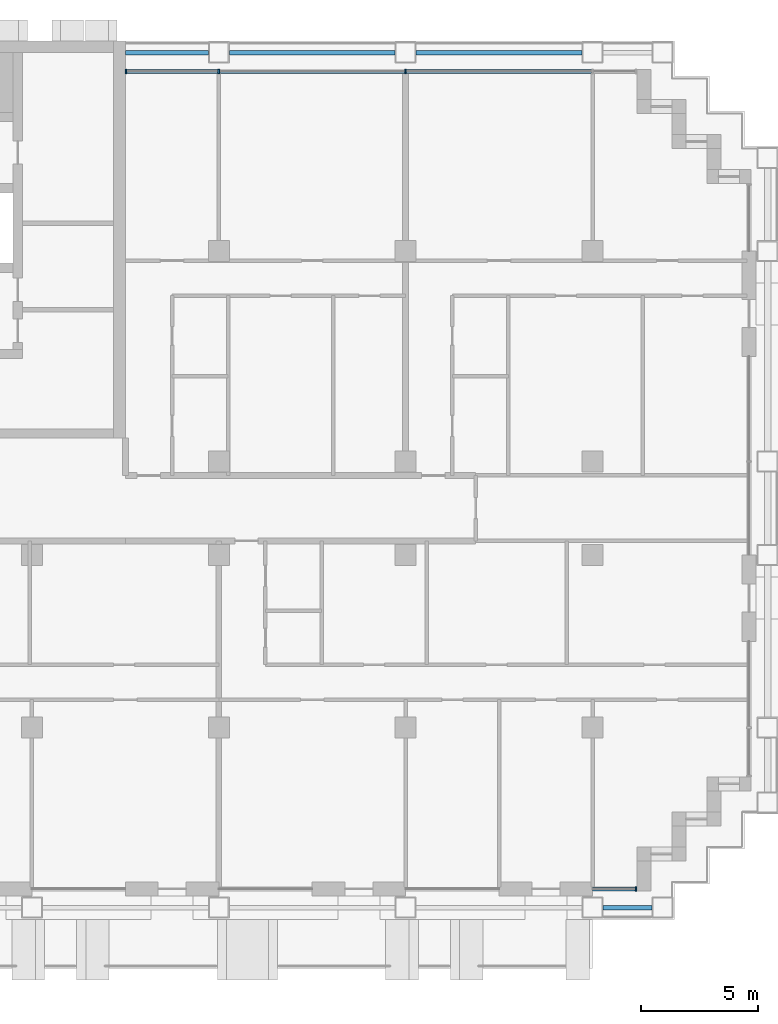
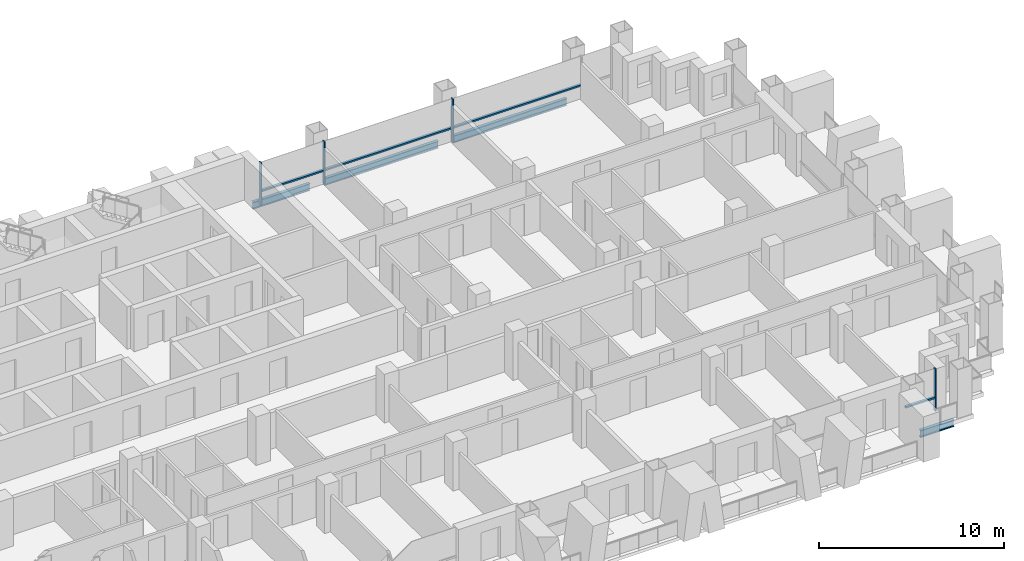
# One storey, part 5 of 18: 8 members, 4 beams, 2 elements without a shape of their own.
"""IFC4 building model written with IfcOpenShell, lengths in metres."""

from ifc_helpers import new_model, si_unit, direction, frame, origin, origin_2d, place, context, subcontext, project, spatial, rectangle, i_section, extrude, material, material_profile, profile_set, type_object, element, aggregate, save


model = new_model("IFC4")

# Units and contexts
model_context = context("Model", 3, precision=1e-05, world=origin(), true_north=direction((0.0, 1.0)))
body_context = subcontext(model_context, "Body", "Model", "MODEL_VIEW")
ifc_project = project(units=[si_unit("LENGTHUNIT", "METRE"), si_unit("AREAUNIT", "SQUARE_METRE"), si_unit("VOLUMEUNIT", "CUBIC_METRE"), si_unit("PLANEANGLEUNIT", "RADIAN"), si_unit("MASSUNIT", "GRAM", prefix="KILO")], contexts=[model_context])

# Site, building, storey
site_placement = place(None, origin())
site = spatial("IfcSite", under=ifc_project, at=site_placement, CompositionType="ELEMENT")
building_placement = place(site_placement, origin())
building = spatial("IfcBuilding", under=site, at=building_placement, Name="Vidyagriha Tower", CompositionType="ELEMENT")
storey_placement = place(building_placement, frame((0.0, 0.0, 103.10009765625)))
storey = spatial("IfcBuildingStorey", under=building, at=storey_placement, Name="L27", CompositionType="ELEMENT", Elevation=103.10009765625)

# Beams
ifc_material_1 = material(Name="Steel ASTM A992 Grade 50", Category="steel")
ifc_material_profile_1 = material_profile(ifc_material_1, i_section(OverallWidth=0.19189453125, OverallDepth=0.46240234375, WebThickness=0.010498046875, FlangeThickness=0.017578125, at=origin_2d()), Name="W18X60")
ifc_profile_set_1 = profile_set([ifc_material_profile_1], Name="Steel ASTM A992 Grade 50")
beam_type = type_object("IfcBeamType", Name="Edge beam W18X60", PredefinedType="SPANDREL", material=ifc_profile_set_1)
beam_1_placement = place(storey_placement, frame((34.449951171875, -17.10009765625, -0.51123046875), z_axis=(1.0, 0.0, 0.0), x_axis=(0.0, 1.0, 0.0)))
element("IfcBeam", 1, at=beam_1_placement, inside=storey, type_object=beam_type, Name="st-beam-L27-S09", PredefinedType="SPANDREL", context=body_context, shape_type="SweptSolid", body=[
    extrude(i_section(OverallWidth=0.19189453125, OverallDepth=0.46240234375, WebThickness=0.010498046875, FlangeThickness=0.017578125, at=origin_2d()), origin(), (0.0, 0.0, 1.0), 2.10009765625),
])
for number, where, z_axis, x_axis, name in (
    (2, (18.449951171875, 19.5, -0.51123046875), (1.0, 0.0, 0.0), (0.0, 1.0, 0.0), "st-beam-L27-NE21"),
    (3, (26.449951171875, 19.5, -0.51123046875), (1.0, 0.0, 0.0), (0.0, 1.0, 0.0), "st-beam-L27-NE22"),
):
    element("IfcBeam", number, at=place(storey_placement, frame(where, z_axis=z_axis, x_axis=x_axis)), inside=storey, type_object=beam_type, Name=name, PredefinedType="SPANDREL", context=body_context, shape_type="SweptSolid", body=[
        extrude(i_section(OverallWidth=0.19189453125, OverallDepth=0.46240234375, WebThickness=0.010498046875, FlangeThickness=0.017578125, at=origin_2d()), origin(), (0.0, 0.0, 1.0), 7.10009765625),
    ])
beam_2_placement = place(storey_placement, frame((14.0, 19.5, -0.51123046875), z_axis=(1.0, 0.0, 0.0), x_axis=(0.0, 1.0, 0.0)))
element("IfcBeam", 4, at=beam_2_placement, inside=storey, type_object=beam_type, Name="st-beam-L27-NC25", PredefinedType="SPANDREL", context=body_context, shape_type="SweptSolid", body=[
    extrude(i_section(OverallWidth=0.19189453125, OverallDepth=0.46240234375, WebThickness=0.010498046875, FlangeThickness=0.017578125, at=origin_2d()), origin(), (0.0, 0.0, 1.0), 3.550048828125),
])

# Curtain wall, members
ifc_material_2 = material(Name="Aluminium and glass curtain wall", Category="aluminium")
curtain_wall_type = type_object("IfcCurtainWallType", Name="Dwelling skin unitised curtain wall", PredefinedType="USERDEFINED", material=ifc_material_2)
curtain_wall_1_placement = place(storey_placement, origin())
curtain_wall_1 = element("IfcCurtainWall", 5, at=curtain_wall_1_placement, inside=storey, type_object=curtain_wall_type, Name="CW1 dwelling skin", ObjectType="UNITISED", PredefinedType="USERDEFINED")
ifc_material_3 = material(Name="Aluminium black anodised", Category="aluminium")
ifc_material_profile_2 = material_profile(ifc_material_3, rectangle(XDim=0.199951171875, YDim=0.070068359375, at=origin_2d()), Name="Mullion 70x200 black aluminium")
ifc_profile_set_2 = profile_set([ifc_material_profile_2], Name="Aluminium black anodised")
member_type_1 = type_object("IfcMemberType", Name="Mullion 70x200 black aluminium", PredefinedType="MULLION", material=ifc_profile_set_2)
member_1_placement = place(storey_placement, frame((26.0, 18.699951171875, 0.0), z_axis=(0.0, 0.0, 1.0), x_axis=(0.0, -1.0, 0.0)))
member_1 = element("IfcMember", 6, at=member_1_placement, type_object=member_type_1, Name="CW1 mullion 3", PredefinedType="MULLION", context=body_context, shape_type="SweptSolid", body=[
    extrude(rectangle(XDim=0.199951171875, YDim=0.070068359375, at=origin_2d()), origin(), (0.0, 0.0, 1.0), 2.7998046875),
])
member_2_placement = place(storey_placement, frame((18.0, 18.699951171875, 0.0), z_axis=(0.0, 0.0, 1.0), x_axis=(0.0, -1.0, 0.0)))
member_2 = element("IfcMember", 7, at=member_2_placement, type_object=member_type_1, Name="CW1 mullion 4", PredefinedType="MULLION", context=body_context, shape_type="SweptSolid", body=[
    extrude(rectangle(XDim=0.199951171875, YDim=0.070068359375, at=origin_2d()), origin(), (0.0, 0.0, 1.0), 2.7998046875),
])
member_3_placement = place(storey_placement, frame((14.034912109375, 18.699951171875, 0.0), z_axis=(0.0, 0.0, 1.0), x_axis=(0.0, -1.0, 0.0)))
member_3 = element("IfcMember", 8, at=member_3_placement, type_object=member_type_1, Name="CW1 mullion 5", PredefinedType="MULLION", context=body_context, shape_type="SweptSolid", body=[
    extrude(rectangle(XDim=0.199951171875, YDim=0.070068359375, at=origin_2d()), origin(), (0.0, 0.0, 1.0), 2.7998046875),
])

# Curtain wall, member
curtain_wall_2_placement = place(storey_placement, origin())
curtain_wall_2 = element("IfcCurtainWall", 9, at=curtain_wall_2_placement, inside=storey, type_object=curtain_wall_type, Name="CW1 dwelling skin", ObjectType="UNITISED", PredefinedType="USERDEFINED")
member_4_placement = place(storey_placement, frame((35.864990234375, -16.300048828125, 0.0), z_axis=(0.0, 0.0, 1.0), x_axis=(0.0, 1.0, 0.0)))
member_4 = element("IfcMember", 10, at=member_4_placement, type_object=member_type_1, Name="CW1 mullion 2", PredefinedType="MULLION", context=body_context, shape_type="SweptSolid", body=[
    extrude(rectangle(XDim=0.199951171875, YDim=0.070068359375, at=origin_2d()), origin(), (0.0, 0.0, 1.0), 2.7998046875),
])

# Member
ifc_material_4 = material(Name="Aluminium black anodised", Category="aluminium")
ifc_material_profile_3 = material_profile(ifc_material_4, rectangle(XDim=0.159912109375, YDim=0.10009765625, at=origin_2d()), Name="Transom 100x160 black aluminium")
ifc_profile_set_3 = profile_set([ifc_material_profile_3], Name="Aluminium black anodised")
member_type_2 = type_object("IfcMemberType", Name="Transom 100x160 black aluminium", PredefinedType="USERDEFINED", material=ifc_profile_set_3)
member_5_placement = place(storey_placement, frame((33.965087890625, 18.699951171875, 0.89990234375), z_axis=(-1.0, 0.0, 0.0), x_axis=(0.0, -1.0, 0.0)))
member_5 = element("IfcMember", 11, at=member_5_placement, type_object=member_type_2, Name="CW1 transom 2.1", ObjectType="TRANSOM", PredefinedType="USERDEFINED", context=body_context, shape_type="SweptSolid", body=[
    extrude(rectangle(XDim=0.159912109375, YDim=0.10009765625, at=origin_2d()), origin(), (0.0, 0.0, 1.0), 7.93017578125),
])

member_6_placement = place(storey_placement, frame((25.965087890625, 18.699951171875, 0.89990234375), z_axis=(-1.0, 0.0, 0.0), x_axis=(0.0, -1.0, 0.0)))
member_6 = element("IfcMember", 12, at=member_6_placement, type_object=member_type_2, Name="CW1 transom 3.1", ObjectType="TRANSOM", PredefinedType="USERDEFINED", context=body_context, shape_type="SweptSolid", body=[
    extrude(rectangle(XDim=0.159912109375, YDim=0.10009765625, at=origin_2d()), origin(), (0.0, 0.0, 1.0), 7.93017578125),
])

member_7_placement = place(storey_placement, frame((17.965087890625, 18.699951171875, 0.89990234375), z_axis=(-1.0, 0.0, 0.0), x_axis=(0.0, -1.0, 0.0)))
member_7 = element("IfcMember", 13, at=member_7_placement, type_object=member_type_2, Name="CW1 transom 4.1", ObjectType="TRANSOM", PredefinedType="USERDEFINED", context=body_context, shape_type="SweptSolid", body=[
    extrude(rectangle(XDim=0.159912109375, YDim=0.10009765625, at=origin_2d()), origin(), (0.0, 0.0, 1.0), 3.89501953125),
])

aggregate(curtain_wall_1, [member_1, member_2, member_3, member_5, member_6, member_7])

member_8_placement = place(storey_placement, frame((34.0, -16.300048828125, 0.89990234375), z_axis=(1.0, 0.0, 0.0), x_axis=(0.0, 1.0, 0.0)))
member_8 = element("IfcMember", 14, at=member_8_placement, type_object=member_type_2, Name="CW1 transom 1.1", ObjectType="TRANSOM", PredefinedType="USERDEFINED", context=body_context, shape_type="SweptSolid", body=[
    extrude(rectangle(XDim=0.159912109375, YDim=0.10009765625, at=origin_2d()), origin(), (0.0, 0.0, 1.0), 1.830078125),
])

aggregate(curtain_wall_2, [member_4, member_8])

save(model, "model.ifc")
